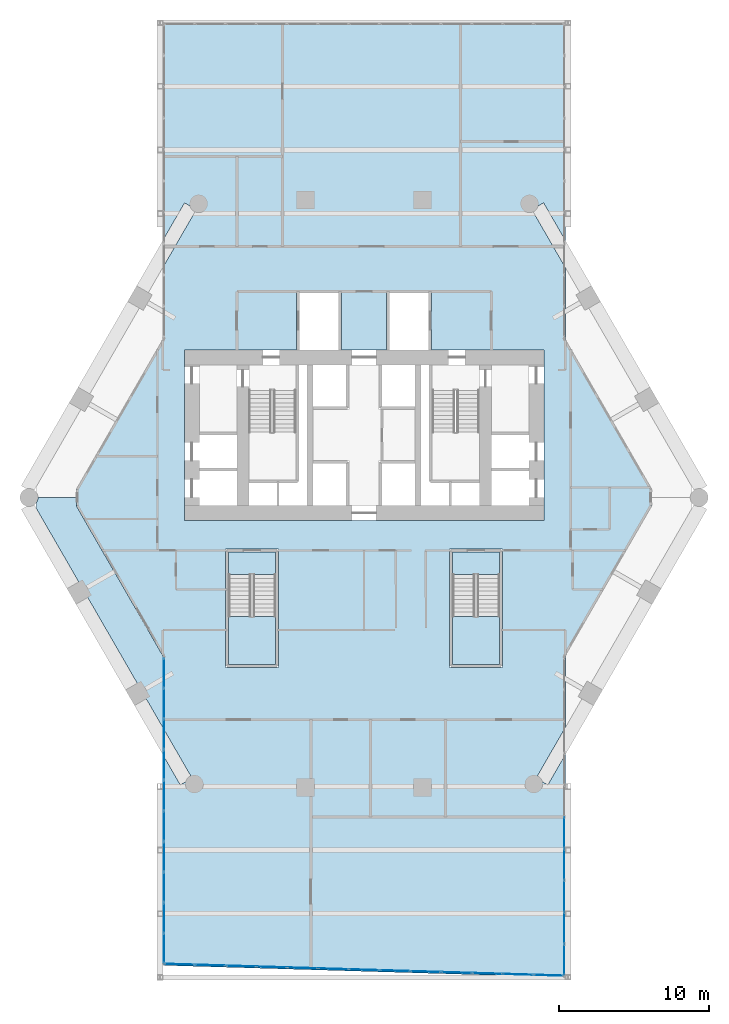
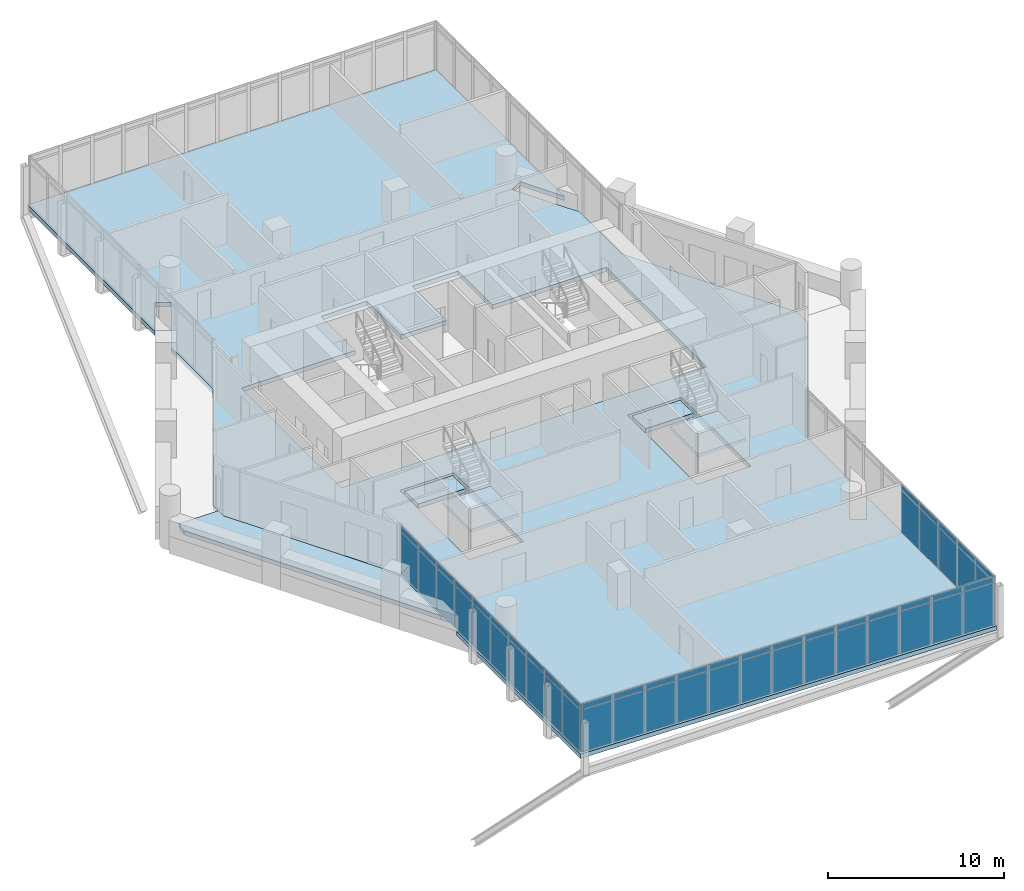
# One storey, part 27 of 37: 56 plates, 6 slabs, 5 elements without a shape of their own.
"""IFC4 building model written with IfcOpenShell, lengths in metres."""

from ifc_helpers import new_model, si_unit, direction, frame, origin, origin_2d, place, context, subcontext, project, spatial, polyline, rectangle, outline, extrude, material, layer, layer_set, type_object, element, aggregate, save


model = new_model("IFC4")

# Units and contexts
model_context = context("Model", 3, precision=1e-05, world=origin(), true_north=direction((0.0, 1.0)))
body_context = subcontext(model_context, "Body", "Model", "MODEL_VIEW")
ifc_project = project(units=[si_unit("LENGTHUNIT", "METRE"), si_unit("AREAUNIT", "SQUARE_METRE"), si_unit("VOLUMEUNIT", "CUBIC_METRE"), si_unit("PLANEANGLEUNIT", "RADIAN"), si_unit("MASSUNIT", "GRAM", prefix="KILO")], contexts=[model_context])

# Site, building, storey
site_placement = place(None, origin())
site = spatial("IfcSite", under=ifc_project, at=site_placement, CompositionType="ELEMENT")
building_placement = place(site_placement, origin())
building = spatial("IfcBuilding", under=site, at=building_placement, Name="Ostrander Bayou Hotel Tower", CompositionType="ELEMENT")
storey_placement = place(building_placement, frame((0.0, 0.0, 93.0)))
storey = spatial("IfcBuildingStorey", under=building, at=storey_placement, Name="L23", CompositionType="ELEMENT", Elevation=93.0)

# Curtain wall, plates
ifc_material_1 = material(Name="Aluminium and clear glass", Category="aluminium")
curtain_wall_type = type_object("IfcCurtainWallType", Name="CW-BAR glazed wall", PredefinedType="NOTDEFINED", material=ifc_material_1)
curtain_wall_1_placement = place(storey_placement, origin())
curtain_wall_1 = element("IfcCurtainWall", 1, at=curtain_wall_1_placement, inside=storey, type_object=curtain_wall_type, Name="CW-BAR L23:SB2S:E", PredefinedType="NOTDEFINED")
ifc_material_2 = material(Name="Clear laminated glass", Category="glass")
ifc_layer_1 = layer(ifc_material_2, 0.028076171875)
ifc_layer_set_1 = layer_set([ifc_layer_1], Name="CW-BR glazing panel 28 mm")
plate_type = type_object("IfcPlateType", Name="CW-BR glazing panel 28 mm", PredefinedType="CURTAIN_PANEL", material=ifc_layer_set_1)
plate_1_placement = place(storey_placement, frame((-13.3671875, -11.885009765625, 0.06005859375), z_axis=(0.0, 0.0, 1.0), x_axis=(0.0, -1.0, 0.0)))
plate_1 = element("IfcPlate", 2, at=plate_1_placement, type_object=plate_type, Name="CW-BAR panel 1.1", PredefinedType="CURTAIN_PANEL", context=body_context, shape_type="SweptSolid", body=[
    extrude(rectangle(XDim=1.95556640625, YDim=0.028076171875, at=origin_2d()), origin(), (0.0, 0.0, 1.0), 2.909912109375),
])
plate_2_placement = place(storey_placement, frame((-13.3671875, -11.885009765625, 3.02978515625), z_axis=(0.0, 0.0, 1.0), x_axis=(0.0, -1.0, 0.0)))
plate_2 = element("IfcPlate", 3, at=plate_2_placement, type_object=plate_type, Name="CW-BAR panel 1.2", PredefinedType="CURTAIN_PANEL", context=body_context, shape_type="SweptSolid", body=[
    extrude(rectangle(XDim=1.95556640625, YDim=0.028076171875, at=origin_2d()), origin(), (0.0, 0.0, 1.0), 0.360107421875),
])
plate_3_placement = place(storey_placement, frame((-13.3671875, -13.91552734375, 0.06005859375), z_axis=(0.0, 0.0, 1.0), x_axis=(0.0, -1.0, 0.0)))
plate_3 = element("IfcPlate", 4, at=plate_3_placement, type_object=plate_type, Name="CW-BAR panel 2.1", PredefinedType="CURTAIN_PANEL", context=body_context, shape_type="SweptSolid", body=[
    extrude(rectangle(XDim=1.985595703125, YDim=0.028076171875, at=origin_2d()), origin(), (0.0, 0.0, 1.0), 2.909912109375),
])
plate_4_placement = place(storey_placement, frame((-13.3671875, -13.91552734375, 3.02978515625), z_axis=(0.0, 0.0, 1.0), x_axis=(0.0, -1.0, 0.0)))
plate_4 = element("IfcPlate", 5, at=plate_4_placement, type_object=plate_type, Name="CW-BAR panel 2.2", PredefinedType="CURTAIN_PANEL", context=body_context, shape_type="SweptSolid", body=[
    extrude(rectangle(XDim=1.985595703125, YDim=0.028076171875, at=origin_2d()), origin(), (0.0, 0.0, 1.0), 0.360107421875),
])
plate_5_placement = place(storey_placement, frame((-13.3671875, -15.9609375, 0.06005859375), z_axis=(0.0, 0.0, 1.0), x_axis=(0.0, -1.0, 0.0)))
plate_5 = element("IfcPlate", 6, at=plate_5_placement, type_object=plate_type, Name="CW-BAR panel 3.1", PredefinedType="CURTAIN_PANEL", context=body_context, shape_type="SweptSolid", body=[
    extrude(rectangle(XDim=1.985595703125, YDim=0.028076171875, at=origin_2d()), origin(), (0.0, 0.0, 1.0), 2.909912109375),
])
plate_6_placement = place(storey_placement, frame((-13.3671875, -15.9609375, 3.02978515625), z_axis=(0.0, 0.0, 1.0), x_axis=(0.0, -1.0, 0.0)))
plate_6 = element("IfcPlate", 7, at=plate_6_placement, type_object=plate_type, Name="CW-BAR panel 3.2", PredefinedType="CURTAIN_PANEL", context=body_context, shape_type="SweptSolid", body=[
    extrude(rectangle(XDim=1.985595703125, YDim=0.028076171875, at=origin_2d()), origin(), (0.0, 0.0, 1.0), 0.360107421875),
])
plate_7_placement = place(storey_placement, frame((-13.3671875, -18.006591796875, 0.06005859375), z_axis=(0.0, 0.0, 1.0), x_axis=(0.0, -1.0, 0.0)))
plate_7 = element("IfcPlate", 8, at=plate_7_placement, type_object=plate_type, Name="CW-BAR panel 4.1", PredefinedType="CURTAIN_PANEL", context=body_context, shape_type="SweptSolid", body=[
    extrude(rectangle(XDim=1.985595703125, YDim=0.028076171875, at=origin_2d()), origin(), (0.0, 0.0, 1.0), 2.909912109375),
])
plate_8_placement = place(storey_placement, frame((-13.3671875, -18.006591796875, 3.02978515625), z_axis=(0.0, 0.0, 1.0), x_axis=(0.0, -1.0, 0.0)))
plate_8 = element("IfcPlate", 9, at=plate_8_placement, type_object=plate_type, Name="CW-BAR panel 4.2", PredefinedType="CURTAIN_PANEL", context=body_context, shape_type="SweptSolid", body=[
    extrude(rectangle(XDim=1.985595703125, YDim=0.028076171875, at=origin_2d()), origin(), (0.0, 0.0, 1.0), 0.360107421875),
])
plate_9_placement = place(storey_placement, frame((-13.3671875, -20.052001953125, 0.06005859375), z_axis=(0.0, 0.0, 1.0), x_axis=(0.0, -1.0, 0.0)))
plate_9 = element("IfcPlate", 10, at=plate_9_placement, type_object=plate_type, Name="CW-BAR panel 5.1", PredefinedType="CURTAIN_PANEL", context=body_context, shape_type="SweptSolid", body=[
    extrude(rectangle(XDim=1.985595703125, YDim=0.028076171875, at=origin_2d()), origin(), (0.0, 0.0, 1.0), 2.909912109375),
])
plate_10_placement = place(storey_placement, frame((-13.3671875, -20.052001953125, 3.02978515625), z_axis=(0.0, 0.0, 1.0), x_axis=(0.0, -1.0, 0.0)))
plate_10 = element("IfcPlate", 11, at=plate_10_placement, type_object=plate_type, Name="CW-BAR panel 5.2", PredefinedType="CURTAIN_PANEL", context=body_context, shape_type="SweptSolid", body=[
    extrude(rectangle(XDim=1.985595703125, YDim=0.028076171875, at=origin_2d()), origin(), (0.0, 0.0, 1.0), 0.360107421875),
])
plate_11_placement = place(storey_placement, frame((-13.3671875, -22.097412109375, 0.06005859375), z_axis=(0.0, 0.0, 1.0), x_axis=(0.0, -1.0, 0.0)))
plate_11 = element("IfcPlate", 12, at=plate_11_placement, type_object=plate_type, Name="CW-BAR panel 6.1", PredefinedType="CURTAIN_PANEL", context=body_context, shape_type="SweptSolid", body=[
    extrude(rectangle(XDim=1.985595703125, YDim=0.028076171875, at=origin_2d()), origin(), (0.0, 0.0, 1.0), 2.909912109375),
])
plate_12_placement = place(storey_placement, frame((-13.3671875, -22.097412109375, 3.02978515625), z_axis=(0.0, 0.0, 1.0), x_axis=(0.0, -1.0, 0.0)))
plate_12 = element("IfcPlate", 13, at=plate_12_placement, type_object=plate_type, Name="CW-BAR panel 6.2", PredefinedType="CURTAIN_PANEL", context=body_context, shape_type="SweptSolid", body=[
    extrude(rectangle(XDim=1.985595703125, YDim=0.028076171875, at=origin_2d()), origin(), (0.0, 0.0, 1.0), 0.360107421875),
])
plate_13_placement = place(storey_placement, frame((-13.3671875, -24.14306640625, 0.06005859375), z_axis=(0.0, 0.0, 1.0), x_axis=(0.0, -1.0, 0.0)))
plate_13 = element("IfcPlate", 14, at=plate_13_placement, type_object=plate_type, Name="CW-BAR panel 7.1", PredefinedType="CURTAIN_PANEL", context=body_context, shape_type="SweptSolid", body=[
    extrude(rectangle(XDim=1.985595703125, YDim=0.028076171875, at=origin_2d()), origin(), (0.0, 0.0, 1.0), 2.909912109375),
])
plate_14_placement = place(storey_placement, frame((-13.3671875, -24.14306640625, 3.02978515625), z_axis=(0.0, 0.0, 1.0), x_axis=(0.0, -1.0, 0.0)))
plate_14 = element("IfcPlate", 15, at=plate_14_placement, type_object=plate_type, Name="CW-BAR panel 7.2", PredefinedType="CURTAIN_PANEL", context=body_context, shape_type="SweptSolid", body=[
    extrude(rectangle(XDim=1.985595703125, YDim=0.028076171875, at=origin_2d()), origin(), (0.0, 0.0, 1.0), 0.360107421875),
])
plate_15_placement = place(storey_placement, frame((-13.3671875, -26.1884765625, 0.06005859375), z_axis=(0.0, 0.0, 1.0), x_axis=(0.0, -1.0, 0.0)))
plate_15 = element("IfcPlate", 16, at=plate_15_placement, type_object=plate_type, Name="CW-BAR panel 8.1", PredefinedType="CURTAIN_PANEL", context=body_context, shape_type="SweptSolid", body=[
    extrude(rectangle(XDim=1.985595703125, YDim=0.028076171875, at=origin_2d()), origin(), (0.0, 0.0, 1.0), 2.909912109375),
])
plate_16_placement = place(storey_placement, frame((-13.3671875, -26.1884765625, 3.02978515625), z_axis=(0.0, 0.0, 1.0), x_axis=(0.0, -1.0, 0.0)))
plate_16 = element("IfcPlate", 17, at=plate_16_placement, type_object=plate_type, Name="CW-BAR panel 8.2", PredefinedType="CURTAIN_PANEL", context=body_context, shape_type="SweptSolid", body=[
    extrude(rectangle(XDim=1.985595703125, YDim=0.028076171875, at=origin_2d()), origin(), (0.0, 0.0, 1.0), 0.360107421875),
])
plate_17_placement = place(storey_placement, frame((-13.3671875, -28.23388671875, 0.06005859375), z_axis=(0.0, 0.0, 1.0), x_axis=(0.0, -1.0, 0.0)))
plate_17 = element("IfcPlate", 18, at=plate_17_placement, type_object=plate_type, Name="CW-BAR panel 9.1", PredefinedType="CURTAIN_PANEL", context=body_context, shape_type="SweptSolid", body=[
    extrude(rectangle(XDim=1.985595703125, YDim=0.028076171875, at=origin_2d()), origin(), (0.0, 0.0, 1.0), 2.909912109375),
])
plate_18_placement = place(storey_placement, frame((-13.3671875, -28.23388671875, 3.02978515625), z_axis=(0.0, 0.0, 1.0), x_axis=(0.0, -1.0, 0.0)))
plate_18 = element("IfcPlate", 19, at=plate_18_placement, type_object=plate_type, Name="CW-BAR panel 9.2", PredefinedType="CURTAIN_PANEL", context=body_context, shape_type="SweptSolid", body=[
    extrude(rectangle(XDim=1.985595703125, YDim=0.028076171875, at=origin_2d()), origin(), (0.0, 0.0, 1.0), 0.360107421875),
])
plate_19_placement = place(storey_placement, frame((-13.3671875, -30.264404296875, 0.06005859375), z_axis=(0.0, 0.0, 1.0), x_axis=(0.0, -1.0, 0.0)))
plate_19 = element("IfcPlate", 20, at=plate_19_placement, type_object=plate_type, Name="CW-BAR panel 10.1", PredefinedType="CURTAIN_PANEL", context=body_context, shape_type="SweptSolid", body=[
    extrude(rectangle(XDim=1.95556640625, YDim=0.028076171875, at=origin_2d()), origin(), (0.0, 0.0, 1.0), 2.909912109375),
])
plate_20_placement = place(storey_placement, frame((-13.3671875, -30.264404296875, 3.02978515625), z_axis=(0.0, 0.0, 1.0), x_axis=(0.0, -1.0, 0.0)))
plate_20 = element("IfcPlate", 21, at=plate_20_placement, type_object=plate_type, Name="CW-BAR panel 10.2", PredefinedType="CURTAIN_PANEL", context=body_context, shape_type="SweptSolid", body=[
    extrude(rectangle(XDim=1.95556640625, YDim=0.028076171875, at=origin_2d()), origin(), (0.0, 0.0, 1.0), 0.360107421875),
])
aggregate(curtain_wall_1, [plate_1, plate_2, plate_3, plate_4, plate_5, plate_6, plate_7, plate_8, plate_9, plate_10, plate_11, plate_12, plate_13, plate_14, plate_15, plate_16, plate_17, plate_18, plate_19, plate_20])

curtain_wall_2_placement = place(storey_placement, origin())
curtain_wall_2 = element("IfcCurtainWall", 22, at=curtain_wall_2_placement, inside=storey, type_object=curtain_wall_type, Name="CW-BAR L23:SB2S:T", PredefinedType="NOTDEFINED")
plate_21_placement = place(storey_placement, frame((-12.323974609375, -31.333251953125, 0.06005859375), z_axis=(0.0, 0.0, 1.0), x_axis=(0.999557482631, -0.029746242041, 0.0)))
plate_21 = element("IfcPlate", 23, at=plate_21_placement, type_object=plate_type, Name="CW-BAR panel 1.1", PredefinedType="CURTAIN_PANEL", context=body_context, shape_type="SweptSolid", body=[
    extrude(rectangle(XDim=1.96728515625, YDim=0.028076171875, at=origin_2d()), origin(), (0.0, 0.0, 1.0), 2.909912109375),
])
plate_22_placement = place(storey_placement, frame((-12.323974609375, -31.333251953125, 3.02978515625), z_axis=(0.0, 0.0, 1.0), x_axis=(0.999557482631, -0.029746242041, 0.0)))
plate_22 = element("IfcPlate", 24, at=plate_22_placement, type_object=plate_type, Name="CW-BAR panel 1.2", PredefinedType="CURTAIN_PANEL", context=body_context, shape_type="SweptSolid", body=[
    extrude(rectangle(XDim=1.96728515625, YDim=0.028076171875, at=origin_2d()), origin(), (0.0, 0.0, 1.0), 0.360107421875),
])
plate_23_placement = place(storey_placement, frame((-10.282470703125, -31.39404296875, 0.06005859375), z_axis=(0.0, 0.0, 1.0), x_axis=(0.999557482631, -0.029746242041, 0.0)))
plate_23 = element("IfcPlate", 25, at=plate_23_placement, type_object=plate_type, Name="CW-BAR panel 2.1", PredefinedType="CURTAIN_PANEL", context=body_context, shape_type="SweptSolid", body=[
    extrude(rectangle(XDim=1.997314453125, YDim=0.028076171875, at=origin_2d()), origin(), (0.0, 0.0, 1.0), 2.909912109375),
])
plate_24_placement = place(storey_placement, frame((-10.282470703125, -31.39404296875, 3.02978515625), z_axis=(0.0, 0.0, 1.0), x_axis=(0.999557482631, -0.029746242041, 0.0)))
plate_24 = element("IfcPlate", 26, at=plate_24_placement, type_object=plate_type, Name="CW-BAR panel 2.2", PredefinedType="CURTAIN_PANEL", context=body_context, shape_type="SweptSolid", body=[
    extrude(rectangle(XDim=1.997314453125, YDim=0.028076171875, at=origin_2d()), origin(), (0.0, 0.0, 1.0), 0.360107421875),
])
plate_25_placement = place(storey_placement, frame((-8.22607421875, -31.455078125, 0.06005859375), z_axis=(0.0, 0.0, 1.0), x_axis=(0.999557482631, -0.029746242041, 0.0)))
plate_25 = element("IfcPlate", 27, at=plate_25_placement, type_object=plate_type, Name="CW-BAR panel 3.1", PredefinedType="CURTAIN_PANEL", context=body_context, shape_type="SweptSolid", body=[
    extrude(rectangle(XDim=1.997314453125, YDim=0.028076171875, at=origin_2d()), origin(), (0.0, 0.0, 1.0), 2.909912109375),
])
plate_26_placement = place(storey_placement, frame((-8.22607421875, -31.455078125, 3.02978515625), z_axis=(0.0, 0.0, 1.0), x_axis=(0.999557482631, -0.029746242041, 0.0)))
plate_26 = element("IfcPlate", 28, at=plate_26_placement, type_object=plate_type, Name="CW-BAR panel 3.2", PredefinedType="CURTAIN_PANEL", context=body_context, shape_type="SweptSolid", body=[
    extrude(rectangle(XDim=1.997314453125, YDim=0.028076171875, at=origin_2d()), origin(), (0.0, 0.0, 1.0), 0.360107421875),
])
plate_27_placement = place(storey_placement, frame((-6.16943359375, -31.516357421875, 0.06005859375), z_axis=(0.0, 0.0, 1.0), x_axis=(0.999557482631, -0.029746242041, 0.0)))
plate_27 = element("IfcPlate", 29, at=plate_27_placement, type_object=plate_type, Name="CW-BAR panel 4.1", PredefinedType="CURTAIN_PANEL", context=body_context, shape_type="SweptSolid", body=[
    extrude(rectangle(XDim=1.997314453125, YDim=0.028076171875, at=origin_2d()), origin(), (0.0, 0.0, 1.0), 2.909912109375),
])
plate_28_placement = place(storey_placement, frame((-6.16943359375, -31.516357421875, 3.02978515625), z_axis=(0.0, 0.0, 1.0), x_axis=(0.999557482631, -0.029746242041, 0.0)))
plate_28 = element("IfcPlate", 30, at=plate_28_placement, type_object=plate_type, Name="CW-BAR panel 4.2", PredefinedType="CURTAIN_PANEL", context=body_context, shape_type="SweptSolid", body=[
    extrude(rectangle(XDim=1.997314453125, YDim=0.028076171875, at=origin_2d()), origin(), (0.0, 0.0, 1.0), 0.360107421875),
])
plate_29_placement = place(storey_placement, frame((-4.113037109375, -31.57763671875, 0.06005859375), z_axis=(0.0, 0.0, 1.0), x_axis=(0.999557482631, -0.029746242041, 0.0)))
plate_29 = element("IfcPlate", 31, at=plate_29_placement, type_object=plate_type, Name="CW-BAR panel 5.1", PredefinedType="CURTAIN_PANEL", context=body_context, shape_type="SweptSolid", body=[
    extrude(rectangle(XDim=1.997314453125, YDim=0.028076171875, at=origin_2d()), origin(), (0.0, 0.0, 1.0), 2.909912109375),
])
plate_30_placement = place(storey_placement, frame((-4.113037109375, -31.57763671875, 3.02978515625), z_axis=(0.0, 0.0, 1.0), x_axis=(0.999557482631, -0.029746242041, 0.0)))
plate_30 = element("IfcPlate", 32, at=plate_30_placement, type_object=plate_type, Name="CW-BAR panel 5.2", PredefinedType="CURTAIN_PANEL", context=body_context, shape_type="SweptSolid", body=[
    extrude(rectangle(XDim=1.997314453125, YDim=0.028076171875, at=origin_2d()), origin(), (0.0, 0.0, 1.0), 0.360107421875),
])
plate_31_placement = place(storey_placement, frame((-2.056396484375, -31.638916015625, 0.06005859375), z_axis=(0.0, 0.0, 1.0), x_axis=(0.999557482631, -0.029746242041, 0.0)))
plate_31 = element("IfcPlate", 33, at=plate_31_placement, type_object=plate_type, Name="CW-BAR panel 6.1", PredefinedType="CURTAIN_PANEL", context=body_context, shape_type="SweptSolid", body=[
    extrude(rectangle(XDim=1.997314453125, YDim=0.028076171875, at=origin_2d()), origin(), (0.0, 0.0, 1.0), 2.909912109375),
])
plate_32_placement = place(storey_placement, frame((-2.056396484375, -31.638916015625, 3.02978515625), z_axis=(0.0, 0.0, 1.0), x_axis=(0.999557482631, -0.029746242041, 0.0)))
plate_32 = element("IfcPlate", 34, at=plate_32_placement, type_object=plate_type, Name="CW-BAR panel 6.2", PredefinedType="CURTAIN_PANEL", context=body_context, shape_type="SweptSolid", body=[
    extrude(rectangle(XDim=1.997314453125, YDim=0.028076171875, at=origin_2d()), origin(), (0.0, 0.0, 1.0), 0.360107421875),
])
plate_33_placement = place(storey_placement, frame((0.0, -31.699951171875, 0.06005859375), z_axis=(0.0, 0.0, 1.0), x_axis=(0.999557482631, -0.029746242041, 0.0)))
plate_33 = element("IfcPlate", 35, at=plate_33_placement, type_object=plate_type, Name="CW-BAR panel 7.1", PredefinedType="CURTAIN_PANEL", context=body_context, shape_type="SweptSolid", body=[
    extrude(rectangle(XDim=1.997314453125, YDim=0.028076171875, at=origin_2d()), origin(), (0.0, 0.0, 1.0), 2.909912109375),
])
plate_34_placement = place(storey_placement, frame((0.0, -31.699951171875, 3.02978515625), z_axis=(0.0, 0.0, 1.0), x_axis=(0.999557482631, -0.029746242041, 0.0)))
plate_34 = element("IfcPlate", 36, at=plate_34_placement, type_object=plate_type, Name="CW-BAR panel 7.2", PredefinedType="CURTAIN_PANEL", context=body_context, shape_type="SweptSolid", body=[
    extrude(rectangle(XDim=1.997314453125, YDim=0.028076171875, at=origin_2d()), origin(), (0.0, 0.0, 1.0), 0.360107421875),
])
plate_35_placement = place(storey_placement, frame((2.056396484375, -31.76123046875, 0.06005859375), z_axis=(0.0, 0.0, 1.0), x_axis=(0.999557482631, -0.029746242041, 0.0)))
plate_35 = element("IfcPlate", 37, at=plate_35_placement, type_object=plate_type, Name="CW-BAR panel 8.1", PredefinedType="CURTAIN_PANEL", context=body_context, shape_type="SweptSolid", body=[
    extrude(rectangle(XDim=1.997314453125, YDim=0.028076171875, at=origin_2d()), origin(), (0.0, 0.0, 1.0), 2.909912109375),
])
plate_36_placement = place(storey_placement, frame((2.056396484375, -31.76123046875, 3.02978515625), z_axis=(0.0, 0.0, 1.0), x_axis=(0.999557482631, -0.029746242041, 0.0)))
plate_36 = element("IfcPlate", 38, at=plate_36_placement, type_object=plate_type, Name="CW-BAR panel 8.2", PredefinedType="CURTAIN_PANEL", context=body_context, shape_type="SweptSolid", body=[
    extrude(rectangle(XDim=1.997314453125, YDim=0.028076171875, at=origin_2d()), origin(), (0.0, 0.0, 1.0), 0.360107421875),
])
plate_37_placement = place(storey_placement, frame((4.113037109375, -31.822509765625, 0.06005859375), z_axis=(0.0, 0.0, 1.0), x_axis=(0.999557482631, -0.029746242041, 0.0)))
plate_37 = element("IfcPlate", 39, at=plate_37_placement, type_object=plate_type, Name="CW-BAR panel 9.1", PredefinedType="CURTAIN_PANEL", context=body_context, shape_type="SweptSolid", body=[
    extrude(rectangle(XDim=1.997314453125, YDim=0.028076171875, at=origin_2d()), origin(), (0.0, 0.0, 1.0), 2.909912109375),
])
plate_38_placement = place(storey_placement, frame((4.113037109375, -31.822509765625, 3.02978515625), z_axis=(0.0, 0.0, 1.0), x_axis=(0.999557482631, -0.029746242041, 0.0)))
plate_38 = element("IfcPlate", 40, at=plate_38_placement, type_object=plate_type, Name="CW-BAR panel 9.2", PredefinedType="CURTAIN_PANEL", context=body_context, shape_type="SweptSolid", body=[
    extrude(rectangle(XDim=1.997314453125, YDim=0.028076171875, at=origin_2d()), origin(), (0.0, 0.0, 1.0), 0.360107421875),
])
plate_39_placement = place(storey_placement, frame((6.16943359375, -31.883544921875, 0.06005859375), z_axis=(0.0, 0.0, 1.0), x_axis=(0.999557482631, -0.029746242041, 0.0)))
plate_39 = element("IfcPlate", 41, at=plate_39_placement, type_object=plate_type, Name="CW-BAR panel 10.1", PredefinedType="CURTAIN_PANEL", context=body_context, shape_type="SweptSolid", body=[
    extrude(rectangle(XDim=1.997314453125, YDim=0.028076171875, at=origin_2d()), origin(), (0.0, 0.0, 1.0), 2.909912109375),
])
plate_40_placement = place(storey_placement, frame((6.16943359375, -31.883544921875, 3.02978515625), z_axis=(0.0, 0.0, 1.0), x_axis=(0.999557482631, -0.029746242041, 0.0)))
plate_40 = element("IfcPlate", 42, at=plate_40_placement, type_object=plate_type, Name="CW-BAR panel 10.2", PredefinedType="CURTAIN_PANEL", context=body_context, shape_type="SweptSolid", body=[
    extrude(rectangle(XDim=1.997314453125, YDim=0.028076171875, at=origin_2d()), origin(), (0.0, 0.0, 1.0), 0.360107421875),
])
plate_41_placement = place(storey_placement, frame((8.22607421875, -31.94482421875, 0.06005859375), z_axis=(0.0, 0.0, 1.0), x_axis=(0.999557482631, -0.029746242041, 0.0)))
plate_41 = element("IfcPlate", 43, at=plate_41_placement, type_object=plate_type, Name="CW-BAR panel 11.1", PredefinedType="CURTAIN_PANEL", context=body_context, shape_type="SweptSolid", body=[
    extrude(rectangle(XDim=1.997314453125, YDim=0.028076171875, at=origin_2d()), origin(), (0.0, 0.0, 1.0), 2.909912109375),
])
plate_42_placement = place(storey_placement, frame((8.22607421875, -31.94482421875, 3.02978515625), z_axis=(0.0, 0.0, 1.0), x_axis=(0.999557482631, -0.029746242041, 0.0)))
plate_42 = element("IfcPlate", 44, at=plate_42_placement, type_object=plate_type, Name="CW-BAR panel 11.2", PredefinedType="CURTAIN_PANEL", context=body_context, shape_type="SweptSolid", body=[
    extrude(rectangle(XDim=1.997314453125, YDim=0.028076171875, at=origin_2d()), origin(), (0.0, 0.0, 1.0), 0.360107421875),
])
plate_43_placement = place(storey_placement, frame((10.282470703125, -32.006103515625, 0.06005859375), z_axis=(0.0, 0.0, 1.0), x_axis=(0.999557482631, -0.029746242041, 0.0)))
plate_43 = element("IfcPlate", 45, at=plate_43_placement, type_object=plate_type, Name="CW-BAR panel 12.1", PredefinedType="CURTAIN_PANEL", context=body_context, shape_type="SweptSolid", body=[
    extrude(rectangle(XDim=1.997314453125, YDim=0.028076171875, at=origin_2d()), origin(), (0.0, 0.0, 1.0), 2.909912109375),
])
plate_44_placement = place(storey_placement, frame((10.282470703125, -32.006103515625, 3.02978515625), z_axis=(0.0, 0.0, 1.0), x_axis=(0.999557482631, -0.029746242041, 0.0)))
plate_44 = element("IfcPlate", 46, at=plate_44_placement, type_object=plate_type, Name="CW-BAR panel 12.2", PredefinedType="CURTAIN_PANEL", context=body_context, shape_type="SweptSolid", body=[
    extrude(rectangle(XDim=1.997314453125, YDim=0.028076171875, at=origin_2d()), origin(), (0.0, 0.0, 1.0), 0.360107421875),
])
plate_45_placement = place(storey_placement, frame((12.323974609375, -32.066650390625, 0.06005859375), z_axis=(0.0, 0.0, 1.0), x_axis=(0.999557482631, -0.029746242041, 0.0)))
plate_45 = element("IfcPlate", 47, at=plate_45_placement, type_object=plate_type, Name="CW-BAR panel 13.1", PredefinedType="CURTAIN_PANEL", context=body_context, shape_type="SweptSolid", body=[
    extrude(rectangle(XDim=1.96728515625, YDim=0.028076171875, at=origin_2d()), origin(), (0.0, 0.0, 1.0), 2.909912109375),
])
plate_46_placement = place(storey_placement, frame((12.323974609375, -32.066650390625, 3.02978515625), z_axis=(0.0, 0.0, 1.0), x_axis=(0.999557482631, -0.029746242041, 0.0)))
plate_46 = element("IfcPlate", 48, at=plate_46_placement, type_object=plate_type, Name="CW-BAR panel 13.2", PredefinedType="CURTAIN_PANEL", context=body_context, shape_type="SweptSolid", body=[
    extrude(rectangle(XDim=1.96728515625, YDim=0.028076171875, at=origin_2d()), origin(), (0.0, 0.0, 1.0), 0.360107421875),
])
aggregate(curtain_wall_2, [plate_21, plate_22, plate_23, plate_24, plate_25, plate_26, plate_27, plate_28, plate_29, plate_30, plate_31, plate_32, plate_33, plate_34, plate_35, plate_36, plate_37, plate_38, plate_39, plate_40, plate_41, plate_42, plate_43, plate_44, plate_45, plate_46])

curtain_wall_3_placement = place(storey_placement, origin())
curtain_wall_3 = element("IfcCurtainWall", 49, at=curtain_wall_3_placement, inside=storey, type_object=curtain_wall_type, Name="CW-BAR L23:SB2S:W", PredefinedType="NOTDEFINED")
plate_47_placement = place(storey_placement, frame((13.3671875, -22.53515625, 0.06005859375), z_axis=(0.0, 0.0, 1.0), x_axis=(0.0, -1.0, 0.0)))
plate_47 = element("IfcPlate", 50, at=plate_47_placement, type_object=plate_type, Name="CW-BAR panel 6.1", PredefinedType="CURTAIN_PANEL", context=body_context, shape_type="SweptSolid", body=[
    extrude(rectangle(XDim=2.06494140625, YDim=0.028076171875, at=origin_2d()), origin(), (0.0, 0.0, 1.0), 2.909912109375),
])
plate_48_placement = place(storey_placement, frame((13.3671875, -22.53515625, 3.02978515625), z_axis=(0.0, 0.0, 1.0), x_axis=(0.0, -1.0, 0.0)))
plate_48 = element("IfcPlate", 51, at=plate_48_placement, type_object=plate_type, Name="CW-BAR panel 6.2", PredefinedType="CURTAIN_PANEL", context=body_context, shape_type="SweptSolid", body=[
    extrude(rectangle(XDim=2.06494140625, YDim=0.028076171875, at=origin_2d()), origin(), (0.0, 0.0, 1.0), 0.360107421875),
])
plate_49_placement = place(storey_placement, frame((13.3671875, -24.66015625, 0.06005859375), z_axis=(0.0, 0.0, 1.0), x_axis=(0.0, -1.0, 0.0)))
plate_49 = element("IfcPlate", 52, at=plate_49_placement, type_object=plate_type, Name="CW-BAR panel 7.1", PredefinedType="CURTAIN_PANEL", context=body_context, shape_type="SweptSolid", body=[
    extrude(rectangle(XDim=2.06494140625, YDim=0.028076171875, at=origin_2d()), origin(), (0.0, 0.0, 1.0), 2.909912109375),
])
plate_50_placement = place(storey_placement, frame((13.3671875, -24.66015625, 3.02978515625), z_axis=(0.0, 0.0, 1.0), x_axis=(0.0, -1.0, 0.0)))
plate_50 = element("IfcPlate", 53, at=plate_50_placement, type_object=plate_type, Name="CW-BAR panel 7.2", PredefinedType="CURTAIN_PANEL", context=body_context, shape_type="SweptSolid", body=[
    extrude(rectangle(XDim=2.06494140625, YDim=0.028076171875, at=origin_2d()), origin(), (0.0, 0.0, 1.0), 0.360107421875),
])
plate_51_placement = place(storey_placement, frame((13.3671875, -26.78515625, 0.06005859375), z_axis=(0.0, 0.0, 1.0), x_axis=(0.0, -1.0, 0.0)))
plate_51 = element("IfcPlate", 54, at=plate_51_placement, type_object=plate_type, Name="CW-BAR panel 8.1", PredefinedType="CURTAIN_PANEL", context=body_context, shape_type="SweptSolid", body=[
    extrude(rectangle(XDim=2.06494140625, YDim=0.028076171875, at=origin_2d()), origin(), (0.0, 0.0, 1.0), 2.909912109375),
])
plate_52_placement = place(storey_placement, frame((13.3671875, -26.78515625, 3.02978515625), z_axis=(0.0, 0.0, 1.0), x_axis=(0.0, -1.0, 0.0)))
plate_52 = element("IfcPlate", 55, at=plate_52_placement, type_object=plate_type, Name="CW-BAR panel 8.2", PredefinedType="CURTAIN_PANEL", context=body_context, shape_type="SweptSolid", body=[
    extrude(rectangle(XDim=2.06494140625, YDim=0.028076171875, at=origin_2d()), origin(), (0.0, 0.0, 1.0), 0.360107421875),
])
plate_53_placement = place(storey_placement, frame((13.3671875, -28.91015625, 0.06005859375), z_axis=(0.0, 0.0, 1.0), x_axis=(0.0, -1.0, 0.0)))
plate_53 = element("IfcPlate", 56, at=plate_53_placement, type_object=plate_type, Name="CW-BAR panel 9.1", PredefinedType="CURTAIN_PANEL", context=body_context, shape_type="SweptSolid", body=[
    extrude(rectangle(XDim=2.06494140625, YDim=0.028076171875, at=origin_2d()), origin(), (0.0, 0.0, 1.0), 2.909912109375),
])
plate_54_placement = place(storey_placement, frame((13.3671875, -28.91015625, 3.02978515625), z_axis=(0.0, 0.0, 1.0), x_axis=(0.0, -1.0, 0.0)))
plate_54 = element("IfcPlate", 57, at=plate_54_placement, type_object=plate_type, Name="CW-BAR panel 9.2", PredefinedType="CURTAIN_PANEL", context=body_context, shape_type="SweptSolid", body=[
    extrude(rectangle(XDim=2.06494140625, YDim=0.028076171875, at=origin_2d()), origin(), (0.0, 0.0, 1.0), 0.360107421875),
])
plate_55_placement = place(storey_placement, frame((13.3671875, -31.020263671875, 0.06005859375), z_axis=(0.0, 0.0, 1.0), x_axis=(0.0, -1.0, 0.0)))
plate_55 = element("IfcPlate", 58, at=plate_55_placement, type_object=plate_type, Name="CW-BAR panel 10.1", PredefinedType="CURTAIN_PANEL", context=body_context, shape_type="SweptSolid", body=[
    extrude(rectangle(XDim=2.03515625, YDim=0.028076171875, at=origin_2d()), origin(), (0.0, 0.0, 1.0), 2.909912109375),
])
plate_56_placement = place(storey_placement, frame((13.3671875, -31.020263671875, 3.02978515625), z_axis=(0.0, 0.0, 1.0), x_axis=(0.0, -1.0, 0.0)))
plate_56 = element("IfcPlate", 59, at=plate_56_placement, type_object=plate_type, Name="CW-BAR panel 10.2", PredefinedType="CURTAIN_PANEL", context=body_context, shape_type="SweptSolid", body=[
    extrude(rectangle(XDim=2.03515625, YDim=0.028076171875, at=origin_2d()), origin(), (0.0, 0.0, 1.0), 0.360107421875),
])
aggregate(curtain_wall_3, [plate_47, plate_48, plate_49, plate_50, plate_51, plate_52, plate_53, plate_54, plate_55, plate_56])

# Slabs
ifc_material_3 = material(Name="Concrete f'c 40 MPa", Category="concrete")
ifc_layer_2 = layer(ifc_material_3, 0.300048828125)
ifc_layer_set_2 = layer_set([ifc_layer_2], Name="SL1 floor slab 300 mm f'c 40 MPa")
slab_type_1 = type_object("IfcSlabType", Name="SL1 floor slab 300 mm f'c 40 MPa", PredefinedType="FLOOR", material=ifc_layer_set_2)
slab_1_placement = place(storey_placement, frame((0.0, 0.0, -0.300048828125)))
element("IfcSlab", 60, at=slab_1_placement, inside=storey, type_object=slab_type_1, Name="SL1 L23 1", PredefinedType="FLOOR", context=body_context, shape_type="SweptSolid", body=[
    extrude(outline(polyline([(-12.27001953125, -19.34765625), (-11.490478515625, -18.897705078125), (-13.442138671875, -15.517333984375), (-13.442138671875, -10.71728515625), (-19.18896484375, -0.763671875), (-19.18896484375, 0.436279296875), (-13.442138671875, 10.39013671875), (-13.442138671875, 15.190185546875), (-11.20703125, 19.061279296875), (-11.986572265625, 19.511474609375), (-13.442138671875, 16.989990234375), (-13.442138671875, 31.54541015625), (13.442138671875, 31.54541015625), (13.442138671875, 16.989990234375), (11.986572265625, 19.511474609375), (11.20703125, 19.061279296875), (13.442138671875, 15.190185546875), (13.442138671875, 10.39013671875), (19.18896484375, 0.436279296875), (19.18896484375, -0.763671875), (13.442138671875, -10.71728515625), (13.442138671875, -15.517333984375), (11.490478515625, -18.897705078125), (12.27001953125, -19.34765625), (13.442138671875, -17.3173828125), (13.442138671875, -32.199951171875), (-13.442138671875, -31.39990234375), (-13.442138671875, -17.3173828125), (-12.27001953125, -19.34765625)]), holes=[polyline([(-12.0, -1.699951171875), (12.0, -1.699951171875), (12.0, 9.699951171875), (4.5, 9.699951171875), (4.5, 13.60009765625), (1.5, 13.60009765625), (1.5, 9.699951171875), (-1.5, 9.699951171875), (-1.5, 13.60009765625), (-4.5, 13.60009765625), (-4.5, 9.699951171875), (-12.0, 9.699951171875), (-12.0, -1.699951171875)]), polyline([(9.25, -3.60009765625), (5.699951171875, -3.60009765625), (5.699951171875, -11.5), (9.25, -11.5), (9.25, -3.60009765625)]), polyline([(-5.699951171875, -3.60009765625), (-9.25, -3.60009765625), (-9.25, -11.5), (-5.699951171875, -11.5), (-5.699951171875, -3.60009765625)])]), origin(), (0.0, 0.0, 1.0), 0.300048828125),
])
slab_2_placement = place(storey_placement, frame((0.0, 0.0, -0.300048828125)))
element("IfcSlab", 61, at=slab_2_placement, inside=storey, type_object=slab_type_1, Name="cslab:L23:006", PredefinedType="FLOOR", context=body_context, shape_type="SweptSolid", body=[
    extrude(outline(polyline([(9.050048828125, -5.300048828125), (9.050048828125, -3.800048828125), (5.89990234375, -3.800048828125), (5.89990234375, -5.300048828125), (9.050048828125, -5.300048828125)])), origin(), (0.0, 0.0, 1.0), 0.300048828125),
])
slab_3_placement = place(storey_placement, frame((0.0, 0.0, -0.300048828125)))
element("IfcSlab", 62, at=slab_3_placement, inside=storey, type_object=slab_type_1, Name="cslab:L23:007", PredefinedType="FLOOR", context=body_context, shape_type="SweptSolid", body=[
    extrude(outline(polyline([(-5.89990234375, -5.300048828125), (-5.89990234375, -3.800048828125), (-9.050048828125, -3.800048828125), (-9.050048828125, -5.300048828125), (-5.89990234375, -5.300048828125)])), origin(), (0.0, 0.0, 1.0), 0.300048828125),
])
ifc_material_4 = material(Name="Concrete f'c 40 MPa", Category="concrete")
ifc_layer_3 = layer(ifc_material_4, 0.300048828125)
ifc_layer_set_3 = layer_set([ifc_layer_3], Name="SL4 loggia slab 300 mm f'c 40 MPa")
slab_type_2 = type_object("IfcSlabType", Name="SL4 loggia slab 300 mm f'c 40 MPa", PredefinedType="FLOOR", material=ifc_layer_set_3)
slab_4_placement = place(storey_placement, frame((0.0, 0.0, -0.300048828125)))
element("IfcSlab", 63, at=slab_4_placement, inside=storey, type_object=slab_type_2, Name="SL4 LOGGIA L23 SW 1", PredefinedType="FLOOR", context=body_context, shape_type="SweptSolid", body=[
    extrude(outline(polyline([(-13.442138671875, -15.517333984375), (-14.5625, -13.576904296875), (-15.132568359375, -12.589599609375), (-18.46923828125, -6.810302734375), (-19.039306640625, -5.822998046875), (-21.254150390625, -1.986572265625), (-21.873779296875, -0.913818359375), (-21.873779296875, -0.4931640625), (-21.8203125, -0.393310546875), (-21.7861328125, -0.28076171875), (-21.774658203125, -0.163818359375), (-19.18896484375, -0.163818359375), (-19.18896484375, -0.763671875), (-13.442138671875, -10.71728515625), (-13.442138671875, -15.517333984375)])), origin(), (0.0, 0.0, 1.0), 0.300048828125),
])

# Stair, slab
ifc_material_5 = material(Name="Concrete f'c 45 MPa", Category="concrete")
stair_type = type_object("IfcStairType", Name="ST1 exit stair 1500 mm f'c 45 MPa", PredefinedType="HALF_TURN_STAIR", material=ifc_material_5)
stair_1_placement = place(storey_placement, origin())
stair_1 = element("IfcStair", 64, at=stair_1_placement, inside=storey, type_object=stair_type, Name="L23 exit stair C", PredefinedType="HALF_TURN_STAIR")
ifc_material_6 = material(Name="Concrete f'c 45 MPa", Category="concrete")
ifc_layer_4 = layer(ifc_material_6, 0.199951171875)
ifc_layer_set_4 = layer_set([ifc_layer_4], Name="SL8 stair landing 200 mm f'c 45 MPa")
slab_type_3 = type_object("IfcSlabType", Name="SL8 stair landing 200 mm f'c 45 MPa", PredefinedType="LANDING", material=ifc_layer_set_4)
slab_5_placement = place(storey_placement, frame((0.0, 0.0, 1.675048828125)))
slab_5 = element("IfcSlab", 65, at=slab_5_placement, type_object=slab_type_3, Name="STC landing 1", PredefinedType="LANDING", context=body_context, shape_type="SweptSolid", body=[
    extrude(outline(polyline([(5.89990234375, -8.10009765625), (5.89990234375, -11.300048828125), (9.050048828125, -11.300048828125), (9.050048828125, -8.10009765625), (5.89990234375, -8.10009765625)])), origin(), (0.0, 0.0, 1.0), 0.199951171875),
])
aggregate(stair_1, [slab_5])

stair_2_placement = place(storey_placement, origin())
stair_2 = element("IfcStair", 66, at=stair_2_placement, inside=storey, type_object=stair_type, Name="L23 exit stair D", PredefinedType="HALF_TURN_STAIR")
slab_6_placement = place(storey_placement, frame((0.0, 0.0, 1.675048828125)))
slab_6 = element("IfcSlab", 67, at=slab_6_placement, type_object=slab_type_3, Name="STD landing 1", PredefinedType="LANDING", context=body_context, shape_type="SweptSolid", body=[
    extrude(outline(polyline([(-9.050048828125, -8.10009765625), (-9.050048828125, -11.300048828125), (-5.89990234375, -11.300048828125), (-5.89990234375, -8.10009765625), (-9.050048828125, -8.10009765625)])), origin(), (0.0, 0.0, 1.0), 0.199951171875),
])
aggregate(stair_2, [slab_6])

save(model, "model.ifc")
